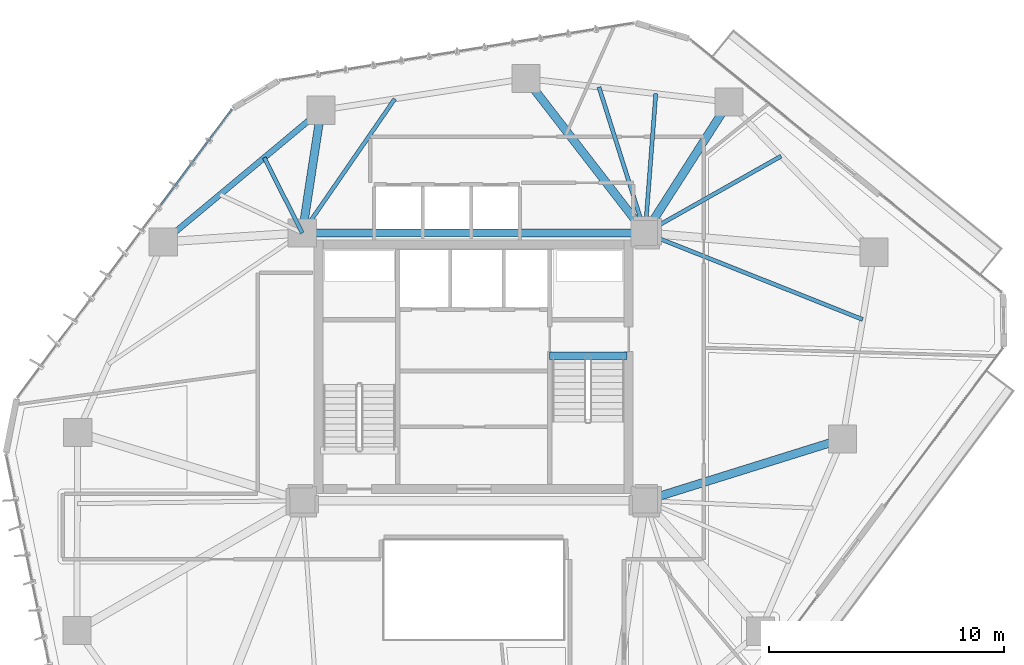
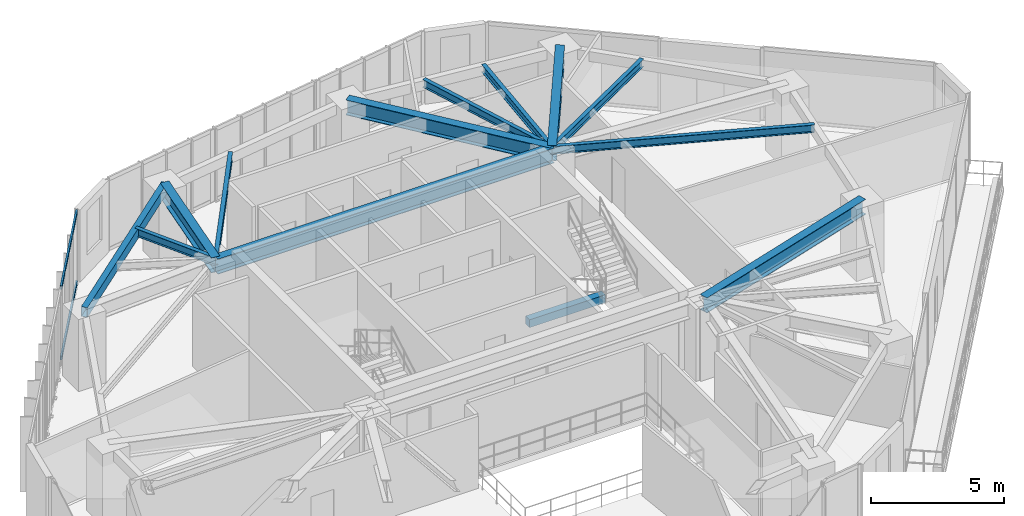
# One storey, part 10 of 23: 13 beams, 2 members, 1 element without a shape of its own.
"""IFC4 building model written with IfcOpenShell, lengths in metres."""

from ifc_helpers import new_model, si_unit, direction, frame, origin, origin_2d, place, context, subcontext, project, spatial, rectangle, hollow_rectangle, i_section, extrude, source, transform, mapped, material, layer, layer_set, material_profile, profile_set, type_object, type_shapes, element, aggregate, save


model = new_model("IFC4")

# Units and contexts
model_context = context("Model", 3, precision=1e-05, world=origin(), true_north=direction((0.0, 1.0)))
body_context = subcontext(model_context, "Body", "Model", "MODEL_VIEW")
ifc_project = project(units=[si_unit("LENGTHUNIT", "METRE"), si_unit("AREAUNIT", "SQUARE_METRE"), si_unit("VOLUMEUNIT", "CUBIC_METRE"), si_unit("PLANEANGLEUNIT", "RADIAN"), si_unit("MASSUNIT", "GRAM", prefix="KILO")], contexts=[model_context])

# Site, building, storey
site_placement = place(None, origin())
site = spatial("IfcSite", under=ifc_project, at=site_placement, CompositionType="ELEMENT")
building_placement = place(site_placement, origin())
building = spatial("IfcBuilding", under=site, at=building_placement, Name="Talar Marvaseh", CompositionType="ELEMENT")
storey_placement = place(building_placement, frame((0.0, 0.0, 118.199951171875)))
storey = spatial("IfcBuildingStorey", under=building, at=storey_placement, Name="L30", CompositionType="ELEMENT", Elevation=118.199951171875)

# Beams
ifc_material_1 = material(Name="Concrete C40/50", Category="concrete")
ifc_material_profile_1 = material_profile(ifc_material_1, rectangle(XDim=0.300048828125, YDim=0.360107421875, at=origin_2d()), Name="RC300x360")
ifc_profile_set_1 = profile_set([ifc_material_profile_1], Name="Concrete C40/50")
beam_type_1 = type_object("IfcBeamType", Name="Concrete Stair Landing Trimmer Beam RC300x360", PredefinedType="SPANDREL", material=ifc_profile_set_1)
beam_1_placement = place(storey_placement, frame((29.219970703125, 31.669921875, -0.179931640625), z_axis=(1.0, 0.0, 0.0), x_axis=(0.0, 1.0, 0.0)))
element("IfcBeam", 1, at=beam_1_placement, inside=storey, type_object=beam_type_1, Name="L30 ST-2 Stair Nosing Trimmer Beam", PredefinedType="SPANDREL", context=body_context, shape_type="SweptSolid", body=[
    extrude(rectangle(XDim=0.300048828125, YDim=0.360107421875, at=origin_2d()), origin(), (0.0, 0.0, 1.0), 3.300048828125),
])
ifc_material_2 = material(Name="Steel S355", Category="steel")
ifc_material_profile_2 = material_profile(ifc_material_2, hollow_rectangle(XDim=0.25, YDim=0.449951171875, WallThickness=0.01611328125, at=origin_2d()), Name="RHS450x250x16")
ifc_profile_set_2 = profile_set([ifc_material_profile_2], Name="Steel S355")
beam_type_2 = type_object("IfcBeamType", Name="Zone 2 Perimeter Spandrel Beam RHS450x250x16", PredefinedType="SPANDREL", material=ifc_profile_set_2)
beam_2_placement = place(storey_placement, frame((12.780029296875, 36.51708984375, 3.0849609375), z_axis=(0.76793081465, 0.640532796905, 0.0), x_axis=(-0.640532796905, 0.76793081465, 0.0)))
element("IfcBeam", 2, at=beam_2_placement, inside=storey, type_object=beam_type_2, Name="L30 Zone 2 Perimeter Spandrel Beam RHS450x250x16", PredefinedType="SPANDREL", context=body_context, shape_type="SweptSolid", body=[
    extrude(hollow_rectangle(XDim=0.25, YDim=0.449951171875, WallThickness=0.01611328125, at=origin_2d()), origin(), (0.0, 0.0, 1.0), 8.751953125),
])
ifc_material_profile_3 = material_profile(ifc_material_2, i_section(OverallWidth=0.35498046875, OverallDepth=0.695068359375, WebThickness=0.015380859375, FlangeThickness=0.02490234375, at=origin_2d()), Name="W690x217")
ifc_profile_set_3 = profile_set([ifc_material_profile_3], Name="Steel S355")
beam_type_3 = type_object("IfcBeamType", Name="Zone 2 Radial Floor Girder W690x217", PredefinedType="BEAM", material=ifc_profile_set_3)
beam_3_placement = place(storey_placement, frame((18.699951171875, 36.89990234375, 2.962646484375), z_axis=(1.0, 0.0, 0.0), x_axis=(0.0, 1.0, 0.0)))
element("IfcBeam", 3, at=beam_3_placement, inside=storey, type_object=beam_type_3, Name="L30 Zone 2 Radial Floor Girder W690x217", PredefinedType="BEAM", context=body_context, shape_type="SweptSolid", body=[
    extrude(i_section(OverallWidth=0.35498046875, OverallDepth=0.695068359375, WebThickness=0.015380859375, FlangeThickness=0.02490234375, at=origin_2d()), origin(), (0.0, 0.0, 1.0), 14.60009765625),
])
beam_4_placement = place(storey_placement, frame((36.865966796875, 42.470947265625, 2.962646484375), z_axis=(-0.539101874952, -0.842240564461, 0.0), x_axis=(0.842240564461, -0.539101874952, 0.0)))
element("IfcBeam", 4, at=beam_4_placement, inside=storey, type_object=beam_type_3, Name="L30 Zone 2 Radial Floor Girder W690x217", PredefinedType="BEAM", context=body_context, shape_type="SweptSolid", body=[
    extrude(i_section(OverallWidth=0.35498046875, OverallDepth=0.695068359375, WebThickness=0.015380859375, FlangeThickness=0.02490234375, at=origin_2d()), origin(), (0.0, 0.0, 1.0), 6.614501953125),
])
beam_5_placement = place(storey_placement, frame((41.708984375, 28.1279296875, 2.962646484375), z_axis=(-0.954475540106, -0.298289194138, 0.0), x_axis=(0.298289194138, -0.954475540106, 0.0)))
element("IfcBeam", 5, at=beam_5_placement, inside=storey, type_object=beam_type_3, Name="L30 Zone 2 Radial Floor Girder W690x217", PredefinedType="BEAM", context=body_context, shape_type="SweptSolid", body=[
    extrude(i_section(OverallWidth=0.35498046875, OverallDepth=0.695068359375, WebThickness=0.015380859375, FlangeThickness=0.02490234375, at=origin_2d()), origin(), (0.0, 0.0, 1.0), 8.81005859375),
])
beam_6_placement = place(storey_placement, frame((19.5009765625, 42.123046875, 2.962646484375), z_axis=(-0.151588471466, -0.98844369355, 0.0), x_axis=(0.98844369355, -0.151588471466, 0.0)))
element("IfcBeam", 6, at=beam_6_placement, inside=storey, type_object=beam_type_3, Name="L30 Zone 2 Radial Floor Girder W690x217", PredefinedType="BEAM", context=body_context, shape_type="SweptSolid", body=[
    extrude(i_section(OverallWidth=0.35498046875, OverallDepth=0.695068359375, WebThickness=0.015380859375, FlangeThickness=0.02490234375, at=origin_2d()), origin(), (0.0, 0.0, 1.0), 5.2841796875),
])
beam_7_placement = place(storey_placement, frame((28.221923828125, 43.471923828125, 2.962646484375), z_axis=(0.611428258763, -0.791299870079, 0.0), x_axis=(0.791299870079, 0.611428258763, 0.0)))
element("IfcBeam", 7, at=beam_7_placement, inside=storey, type_object=beam_type_3, Name="L30 Zone 2 Radial Floor Girder W690x217", PredefinedType="BEAM", context=body_context, shape_type="SweptSolid", body=[
    extrude(i_section(OverallWidth=0.35498046875, OverallDepth=0.695068359375, WebThickness=0.015380859375, FlangeThickness=0.02490234375, at=origin_2d()), origin(), (0.0, 0.0, 1.0), 8.305419921875),
])
ifc_material_profile_4 = material_profile(ifc_material_2, i_section(OverallWidth=0.172119140625, OverallDepth=0.35791015625, WebThickness=0.0078125, FlangeThickness=0.01318359375, at=origin_2d()), Name="W360x57")
ifc_profile_set_4 = profile_set([ifc_material_profile_4], Name="Steel S355")
beam_type_4 = type_object("IfcBeamType", Name="Zone 2 Secondary Floor Joist W360x57", PredefinedType="JOIST", material=ifc_profile_set_4)
beam_8_placement = place(storey_placement, frame((39.090087890625, 40.168701171875, 3.131103515625), z_axis=(-0.870809604029, -0.491620416105, 0.0), x_axis=(0.491620416105, -0.870809604029, 0.0)))
element("IfcBeam", 8, at=beam_8_placement, inside=storey, type_object=beam_type_4, Name="L30 Zone 2 Secondary Floor Joist W360x57", PredefinedType="JOIST", context=body_context, shape_type="SweptSolid", body=[
    extrude(i_section(OverallWidth=0.172119140625, OverallDepth=0.35791015625, WebThickness=0.0078125, FlangeThickness=0.01318359375, at=origin_2d()), origin(), (0.0, 0.0, 1.0), 6.64892578125),
])
beam_9_placement = place(storey_placement, frame((42.5634765625, 33.214599609375, 3.131103515625), z_axis=(-0.929169193082, 0.369654718119, 0.0), x_axis=(-0.369654718119, -0.929169193082, 0.0)))
element("IfcBeam", 9, at=beam_9_placement, inside=storey, type_object=beam_type_4, Name="L30 Zone 2 Secondary Floor Joist W360x57", PredefinedType="JOIST", context=body_context, shape_type="SweptSolid", body=[
    extrude(i_section(OverallWidth=0.172119140625, OverallDepth=0.35791015625, WebThickness=0.0078125, FlangeThickness=0.01318359375, at=origin_2d()), origin(), (0.0, 0.0, 1.0), 9.969482421875),
])
beam_10_placement = place(storey_placement, frame((17.081298828125, 40.104736328125, 3.131103515625), z_axis=(0.450827436945, -0.892611125909, 0.0), x_axis=(0.892611125909, 0.450827436945, 0.0)))
element("IfcBeam", 10, at=beam_10_placement, inside=storey, type_object=beam_type_4, Name="L30 Zone 2 Secondary Floor Joist W360x57", PredefinedType="JOIST", context=body_context, shape_type="SweptSolid", body=[
    extrude(i_section(OverallWidth=0.172119140625, OverallDepth=0.35791015625, WebThickness=0.0078125, FlangeThickness=0.01318359375, at=origin_2d()), origin(), (0.0, 0.0, 1.0), 3.59033203125),
])
beam_11_placement = place(storey_placement, frame((22.640625, 42.608642578125, 3.131103515625), z_axis=(-0.568085734836, -0.822969378456, 0.0), x_axis=(0.822969378456, -0.568085734836, 0.0)))
element("IfcBeam", 11, at=beam_11_placement, inside=storey, type_object=beam_type_4, Name="L30 Zone 2 Secondary Floor Joist W360x57", PredefinedType="JOIST", context=body_context, shape_type="SweptSolid", body=[
    extrude(i_section(OverallWidth=0.172119140625, OverallDepth=0.35791015625, WebThickness=0.0078125, FlangeThickness=0.01318359375, at=origin_2d()), origin(), (0.0, 0.0, 1.0), 6.936767578125),
])
beam_12_placement = place(storey_placement, frame((31.333740234375, 43.111572265625, 3.131103515625), z_axis=(0.301791238044, -0.953374033966, 0.0), x_axis=(0.953374033966, 0.301791238044, 0.0)))
element("IfcBeam", 12, at=beam_12_placement, inside=storey, type_object=beam_type_4, Name="L30 Zone 2 Secondary Floor Joist W360x57", PredefinedType="JOIST", context=body_context, shape_type="SweptSolid", body=[
    extrude(i_section(OverallWidth=0.172119140625, OverallDepth=0.35791015625, WebThickness=0.0078125, FlangeThickness=0.01318359375, at=origin_2d()), origin(), (0.0, 0.0, 1.0), 6.515380859375),
])
beam_13_placement = place(storey_placement, frame((33.754150390625, 42.831298828125, 3.131103515625), z_axis=(-0.076335577703, -0.99708218296, 0.0), x_axis=(0.99708218296, -0.076335577703, 0.0)))
element("IfcBeam", 13, at=beam_13_placement, inside=storey, type_object=beam_type_4, Name="L30 Zone 2 Secondary Floor Joist W360x57", PredefinedType="JOIST", context=body_context, shape_type="SweptSolid", body=[
    extrude(i_section(OverallWidth=0.172119140625, OverallDepth=0.35791015625, WebThickness=0.0078125, FlangeThickness=0.01318359375, at=origin_2d()), origin(), (0.0, 0.0, 1.0), 5.94873046875),
])

# Curtain wall, members
ifc_material_3 = material(Name="Architectural Aluminium", Category="aluminium")
ifc_layer = layer(ifc_material_3, 0.199951171875)
ifc_layer_set = layer_set([ifc_layer], Name="Architectural Aluminium")
curtain_wall_type = type_object("IfcCurtainWallType", Name="Unitised Acoustic Library Curtain Wall Z2", PredefinedType="NOTDEFINED", material=ifc_layer_set)
curtain_wall_placement = place(storey_placement, origin())
curtain_wall = element("IfcCurtainWall", 14, at=curtain_wall_placement, inside=storey, type_object=curtain_wall_type, Name="L30 Unitised Acoustic Library Curtain Wall Z2", PredefinedType="NOTDEFINED")
ifc_material_profile_5 = material_profile(ifc_material_3, hollow_rectangle(XDim=0.074951171875, YDim=0.179931640625, WallThickness=0.0048828125, at=origin_2d()), Name="RHS180x75x5")
ifc_profile_set_5 = profile_set([ifc_material_profile_5], Name="Architectural Aluminium")
member_type = type_object("IfcMemberType", Name="Unitised Curtain Wall Transom RHS180x75x5", PredefinedType="USERDEFINED", material=ifc_profile_set_5)
shared_shape = source(origin(), body_context, "Body", "SweptSolid", [
    extrude(hollow_rectangle(XDim=0.074951171875, YDim=0.179931640625, WallThickness=0.0048828125, at=origin_2d()), origin(), (0.0, 0.0, 1.0), 5.017822265625),
])
type_shapes(member_type, [shared_shape])
member_1_placement = place(storey_placement, frame((12.696533203125, 38.11865234375, 0.03759765625), z_axis=(0.597396661616, 0.801945901349, 0.0), x_axis=(-0.801945901349, 0.597396661616, 0.0)))
member_1 = element("IfcMember", 15, at=member_1_placement, type_object=member_type, Name="CW-Z2 transom 3.1", ObjectType="TRANSOM", PredefinedType="USERDEFINED", context=body_context, shape_type="MappedRepresentation", body=[
    mapped(shared_shape, transform((0.0, 0.0, 0.0), x_axis=(1.0, 0.0, 0.0), y_axis=(0.0, 1.0, 0.0), z_axis=(0.0, 0.0, 1.0), scale=1.0)),
])
member_2_placement = place(storey_placement, frame((12.696533203125, 38.11865234375, 3.2724609375), z_axis=(0.597396661616, 0.801945901349, 0.0), x_axis=(-0.801945901349, 0.597396661616, 0.0)))
member_2 = element("IfcMember", 16, at=member_2_placement, type_object=member_type, Name="CW-Z2 transom 3.2", ObjectType="TRANSOM", PredefinedType="USERDEFINED", context=body_context, shape_type="MappedRepresentation", body=[
    mapped(shared_shape, transform((0.0, 0.0, 0.0), x_axis=(1.0, 0.0, 0.0), y_axis=(0.0, 1.0, 0.0), z_axis=(0.0, 0.0, 1.0), scale=1.0)),
])
aggregate(curtain_wall, [member_1, member_2])

save(model, "model.ifc")
